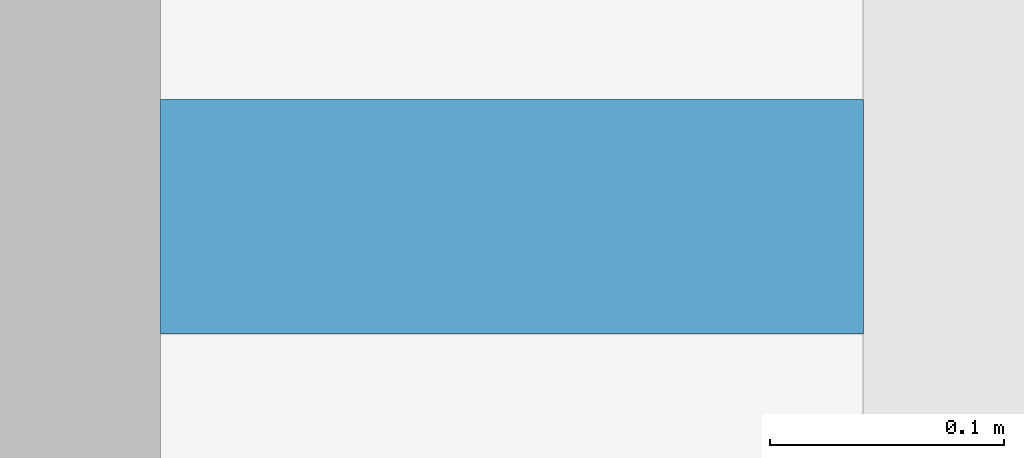
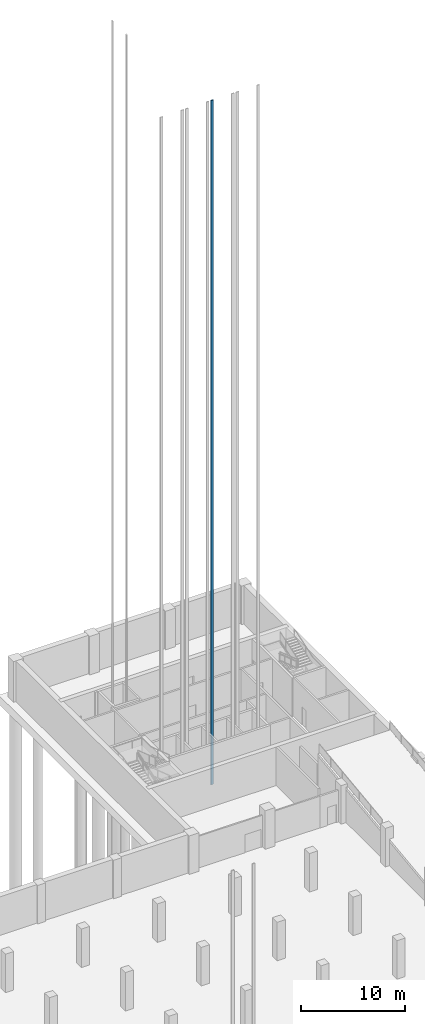
# One storey, part 16 of 26: 1 discrete accessory.
"""IFC4 building model written with IfcOpenShell, lengths in metres."""

from ifc_helpers import new_model, si_unit, direction, frame, origin, origin_2d, place, context, subcontext, project, spatial, rectangle, extrude, material, type_object, element, save


model = new_model("IFC4")

# Units and contexts
model_context = context("Model", 3, precision=1e-05, world=origin(), true_north=direction((0.0, 1.0)))
body_context = subcontext(model_context, "Body", "Model", "MODEL_VIEW")
ifc_project = project(units=[si_unit("LENGTHUNIT", "METRE"), si_unit("AREAUNIT", "SQUARE_METRE"), si_unit("VOLUMEUNIT", "CUBIC_METRE"), si_unit("PLANEANGLEUNIT", "RADIAN"), si_unit("MASSUNIT", "GRAM", prefix="KILO")], contexts=[model_context])

# Site, building, storey
site_placement = place(None, origin())
site = spatial("IfcSite", under=ifc_project, at=site_placement, CompositionType="ELEMENT")
building_placement = place(site_placement, origin())
building = spatial("IfcBuilding", under=site, at=building_placement, Name="Rulbaag Community and Learning Centre", CompositionType="ELEMENT")
storey_placement = place(building_placement, frame((0.0, 0.0, -9.60009765625)))
storey = spatial("IfcBuildingStorey", under=building, at=storey_placement, Name="B2", CompositionType="ELEMENT", Elevation=-9.60009765625)

# Discrete accessory
ifc_material = material(Name="Steel E350", Category="steel")
discrete_accessory_type = type_object("IfcDiscreteAccessoryType", Name="LR-GUIDE RAIL 300 x 100", PredefinedType="BRACKET", material=ifc_material)
discrete_accessory_placement = place(storey_placement, frame((152.75, 97.25, -1.5), z_axis=(0.0, 0.0, 1.0), x_axis=(1.0, 0.0, 0.0)))
element("IfcDiscreteAccessory", 1, at=discrete_accessory_placement, inside=storey, type_object=discrete_accessory_type, Name="Guide rail LP3 W", PredefinedType="BRACKET", context=body_context, shape_type="SweptSolid", body=[
    extrude(rectangle(XDim=0.300048828125, YDim=0.10009765625, at=origin_2d()), origin(), (0.0, 0.0, 1.0), 80.0),
])

save(model, "model.ifc")
